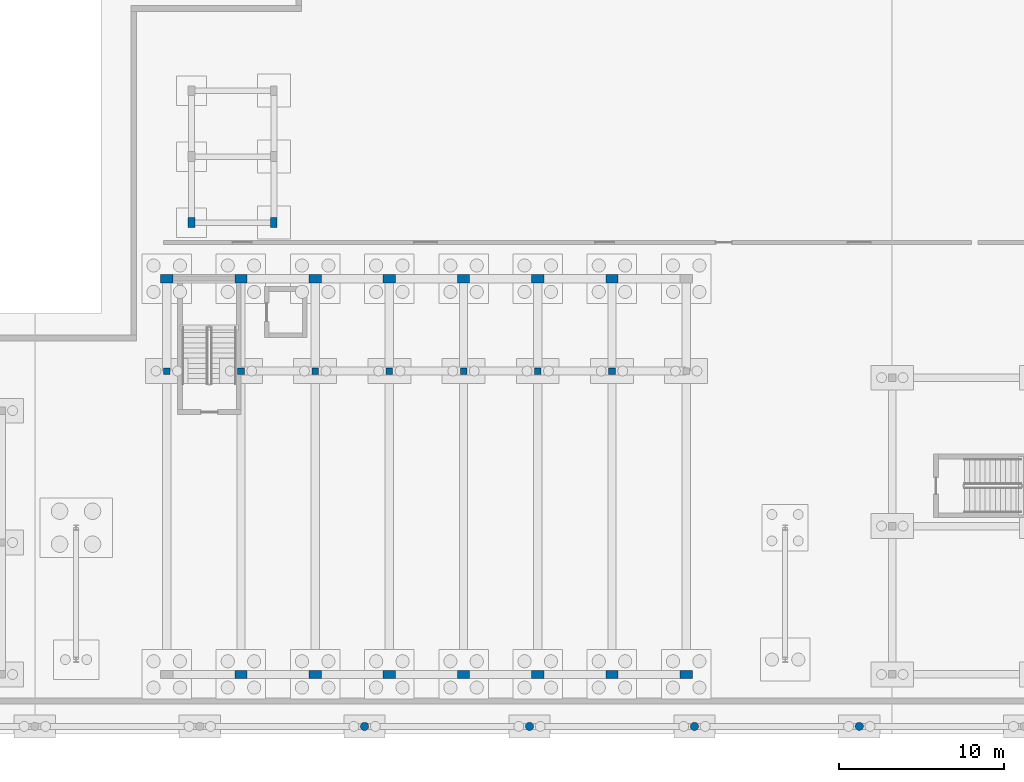
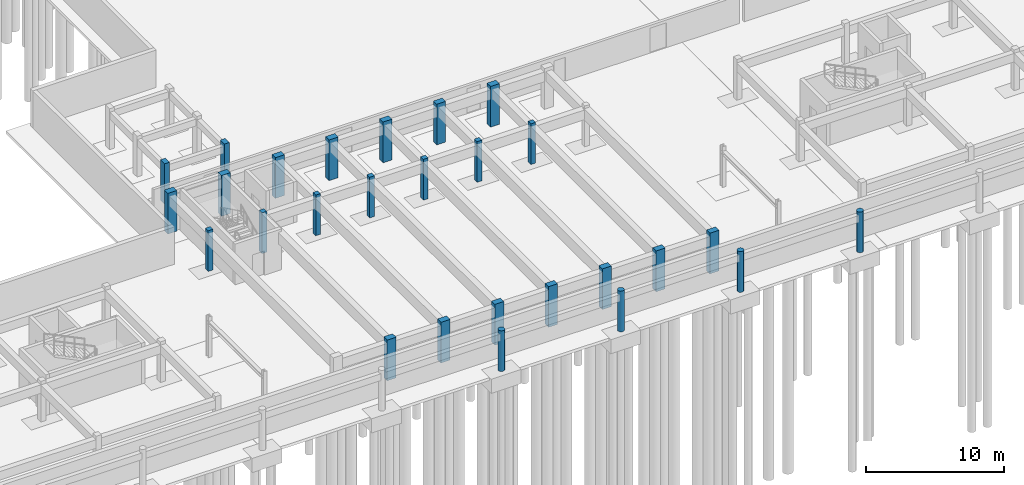
# One storey, part 7 of 32: 27 columns.
"""IFC4 building model written with IfcOpenShell, lengths in metres."""

import ifcopenshell
import ifcopenshell.guid

model = None  # the IFC model being written
_history = None  # IfcOwnerHistory: only IFC2X3 demands one
_inside = {}  # id of a spatial element -> (the spatial element, [elements in it])
_under = {}  # id of a project, library or spatial element -> (it, [spatial elements below it])
_declared = {}  # id of a project -> (the project, [libraries it declares])
_typed = {}  # id of a type object -> (the type object, [elements of that type])
_made_of = {}  # id of a material, layer set ... -> (it, [elements and type objects made of it])


def new_model(schema):
    """Start an empty IFC model of exactly this schema.

    Asked for "IFC4X3", IfcOpenShell would pick the latest addendum, in which some entities
    have other attributes; the version numbers below select the first issue.
    IFC2X3 requires an IfcOwnerHistory on every rooted entity: one is made here for all.
    """
    global model, _history
    if schema == "IFC4X3":
        model = ifcopenshell.file(schema_version=(4, 3, 0, 0))
    else:
        model = ifcopenshell.file(schema=schema)
    _inside.clear()
    _under.clear()
    _declared.clear()
    _typed.clear()
    _made_of.clear()
    _history = None
    if model.schema == "IFC2X3":
        org = make("IfcOrganization", Name="unknown")
        user = make(
            "IfcPersonAndOrganization",
            ThePerson=make("IfcPerson", FamilyName="unknown"),
            TheOrganization=org,
        )
        app = make(
            "IfcApplication",
            ApplicationDeveloper=org,
            Version="unknown",
            ApplicationFullName="unknown",
            ApplicationIdentifier="unknown",
        )
        _history = make(
            "IfcOwnerHistory",
            OwningUser=user,
            OwningApplication=app,
            ChangeAction="ADDED",
            CreationDate=0,
        )
    return model


def make(cls, **values):
    """One entity of the class cls with the attributes given. An attribute that is None is left unset."""
    return model.create_entity(
        cls, **{name: value for name, value in values.items() if value is not None}
    )


def rooted(cls, **values):
    """An entity with a GlobalId (a new one), such as an element, a storey or a relation."""
    return make(cls, GlobalId=ifcopenshell.guid.new(), OwnerHistory=_history, **values)


def si_unit(unit_type, name, prefix=None):
    """IfcSIUnit, for example si_unit("LENGTHUNIT", "METRE", prefix="MILLI")."""
    return make("IfcSIUnit", UnitType=unit_type, Prefix=prefix, Name=name)


def assignment(units):
    """IfcUnitAssignment: the units of a project."""
    return None if units is None else make("IfcUnitAssignment", Units=units)


def point(xyz):
    """IfcCartesianPoint."""
    return None if xyz is None else make("IfcCartesianPoint", Coordinates=xyz)


def direction(xyz):
    """IfcDirection."""
    return None if xyz is None else make("IfcDirection", DirectionRatios=xyz)


def frame(location, z_axis=None, x_axis=None):
    """IfcAxis2Placement3D, a coordinate frame: its origin and axes. An axis left out is left unset."""
    return make(
        "IfcAxis2Placement3D",
        Location=point(location),
        Axis=direction(z_axis),
        RefDirection=direction(x_axis),
    )


def frame_2d(location, x_axis=None):
    """IfcAxis2Placement2D, a coordinate frame in the plane: its origin and x axis."""
    return make(
        "IfcAxis2Placement2D", Location=point(location), RefDirection=direction(x_axis)
    )


def origin():
    """The frame at (0, 0, 0) with its axes left unset."""
    return frame((0.0, 0.0, 0.0))


def origin_2d():
    """The frame at (0, 0) in the plane with its x axis left unset."""
    return frame_2d((0.0, 0.0))


def place(relative_to, where):
    """IfcLocalPlacement: puts the frame where relative to a parent placement (None: the world)."""
    return make(
        "IfcLocalPlacement", PlacementRelTo=relative_to, RelativePlacement=where
    )


def context(
    kind, dimensions, precision=None, world=None, true_north=None, identifier=None
):
    """IfcGeometricRepresentationContext, for example the 3D "Model" context."""
    return make(
        "IfcGeometricRepresentationContext",
        ContextIdentifier=identifier,
        ContextType=kind,
        CoordinateSpaceDimension=dimensions,
        Precision=precision,
        WorldCoordinateSystem=world,
        TrueNorth=true_north,
    )


def subcontext(parent, identifier, kind, view, scale=None):
    """IfcGeometricRepresentationSubContext, for example "Body" below "Model"."""
    return make(
        "IfcGeometricRepresentationSubContext",
        ContextIdentifier=identifier,
        ContextType=kind,
        ParentContext=parent,
        TargetScale=scale,
        TargetView=view,
    )


def project(units=None, contexts=None):
    """IfcProject with its units and contexts."""
    return rooted(
        "IfcProject",
        Name="project",
        RepresentationContexts=contexts,
        UnitsInContext=assignment(units),
    )


def spatial(cls, under=None, at=None, **own):
    """A site, building, storey or space (cls), placed at a placement, below another one or the project."""
    s = rooted(cls, ObjectPlacement=at, **own)
    if under is not None:
        _under.setdefault(under.id(), (under, []))[1].append(s)
    return s


def profile(cls, at=None, kind="AREA", **sizes):
    """A parametric profile (cls). Its sizes go by their IFC names, for example OverallWidth=200.0."""
    return make(cls, ProfileType=kind, Position=at, **sizes)


def rectangle(**sizes):
    """IfcRectangleProfileDef."""
    return profile("IfcRectangleProfileDef", **sizes)


def circle(**sizes):
    """IfcCircleProfileDef."""
    return profile("IfcCircleProfileDef", **sizes)


def extrude(swept, where, along, depth):
    """IfcExtrudedAreaSolid: the profile swept, set in the frame where, extruded along a direction by depth."""
    return make(
        "IfcExtrudedAreaSolid",
        SweptArea=swept,
        Position=where,
        ExtrudedDirection=direction(along),
        Depth=depth,
    )


def shape(context_of_items, identifier, shape_type, items):
    """IfcShapeRepresentation: the items that make up one representation, for example the "Body"."""
    return make(
        "IfcShapeRepresentation",
        ContextOfItems=context_of_items,
        RepresentationIdentifier=identifier,
        RepresentationType=shape_type,
        Items=items,
    )


def material(Name=None, Category=None):
    """IfcMaterial."""
    return make("IfcMaterial", Name=Name, Category=Category)


def material_profile(
    of_material, cross_section, Name=None, Category=None, Priority=None
):
    """IfcMaterialProfile: a cross section and its material."""
    return make(
        "IfcMaterialProfile",
        Name=Name,
        Material=of_material,
        Profile=cross_section,
        Priority=Priority,
        Category=Category,
    )


def profile_set(profiles, Name=None, composite=None):
    """IfcMaterialProfileSet."""
    return make(
        "IfcMaterialProfileSet",
        Name=Name,
        MaterialProfiles=profiles,
        CompositeProfile=composite,
    )


def made_of(thing, what):
    """Note that an element or type object is made of a material, layer set ...; save() writes the relation."""
    if what is not None:
        _made_of.setdefault(what.id(), (what, []))[1].append(thing)
    return thing


def type_object(cls, material=None, **own):
    """A type object (cls), such as IfcWallType, which elements share."""
    return made_of(rooted(cls, **own), material)


def element(
    cls,
    number,
    at=None,
    inside=None,
    cuts=None,
    type_object=None,
    material=None,
    context=None,
    identifier="Body",
    shape_type=None,
    held_by="IfcProductDefinitionShape",
    body=None,
    shapes=None,
    **own,
):
    """One element of the class cls, such as IfcWall. Its Tag is "e" and its number.

    at: its placement. inside: the storey or other place that contains it. cuts: it is an
    opening in that element (IfcRelVoidsElement). A single representation is given by context,
    identifier, shape_type and body (its items); several are given by shapes. held_by: the class
    of the entity that holds the representations. save() writes the other relations.
    """
    e = rooted(cls, Tag="e%d" % number, ObjectPlacement=at, **own)
    if body is not None:
        shapes = [shape(context, identifier, shape_type, body)]
    if shapes is not None:
        e.Representation = make(held_by, Representations=shapes)
    if inside is not None:
        _inside.setdefault(inside.id(), (inside, []))[1].append(e)
    if cuts is not None:
        rooted(
            "IfcRelVoidsElement", RelatingBuildingElement=cuts, RelatedOpeningElement=e
        )
    if type_object is not None:
        _typed.setdefault(type_object.id(), (type_object, []))[1].append(e)
    return made_of(e, material)


def aggregate(whole, parts):
    """IfcRelAggregates: a whole, such as a stair, and the parts it consists of."""
    return rooted("IfcRelAggregates", RelatingObject=whole, RelatedObjects=parts)


def save(model, path):
    """Write the relations noted so far, then the file.

    IfcRelAggregates (storeys below a building ...), IfcRelContainedInSpatialStructure (elements
    in a storey), IfcRelDefinesByType, IfcRelAssociatesMaterial and IfcRelDeclares: one each for
    every whole, place, type object, material and project.
    """
    for whole, parts in _under.values():
        aggregate(whole, parts)
    for where, things in _inside.values():
        rooted(
            "IfcRelContainedInSpatialStructure",
            RelatedElements=things,
            RelatingStructure=where,
        )
    for kind, things in _typed.values():
        rooted("IfcRelDefinesByType", RelatedObjects=things, RelatingType=kind)
    for what, things in _made_of.values():
        rooted("IfcRelAssociatesMaterial", RelatedObjects=things, RelatingMaterial=what)
    for by, libraries in _declared.values():
        rooted("IfcRelDeclares", RelatingContext=by, RelatedDefinitions=libraries)
    model.write(path)


model = new_model("IFC4")

# Units and contexts
model_context = context("Model", 3, precision=1e-05, world=origin(), true_north=direction((0.0, 1.0)))
body_context = subcontext(model_context, "Body", "Model", "MODEL_VIEW")
ifc_project = project(units=[si_unit("LENGTHUNIT", "METRE"), si_unit("AREAUNIT", "SQUARE_METRE"), si_unit("VOLUMEUNIT", "CUBIC_METRE"), si_unit("PLANEANGLEUNIT", "RADIAN"), si_unit("MASSUNIT", "GRAM", prefix="KILO")], contexts=[model_context])

# Site, building, storey
site_placement = place(None, origin())
site = spatial("IfcSite", under=ifc_project, at=site_placement, CompositionType="ELEMENT")
building_placement = place(site_placement, origin())
building = spatial("IfcBuilding", under=site, at=building_placement, Name="Zimvara Arc Housing Community", CompositionType="ELEMENT")
storey_placement = place(building_placement, frame((0.0, 0.0, -3.60009765625)))
storey = spatial("IfcBuildingStorey", under=building, at=storey_placement, Name="B1", CompositionType="ELEMENT", Elevation=-3.60009765625)

# Columns
ifc_material_1 = material(Name="Concrete C40/50", Category="concrete")
ifc_material_profile_1 = material_profile(ifc_material_1, rectangle(XDim=0.39990234375, YDim=0.39990234375, at=origin_2d()), Name="RC 400x400")
ifc_profile_set_1 = profile_set([ifc_material_profile_1], Name="Concrete C40/50")
column_type_1 = type_object("IfcColumnType", Name="COL-RC-400x400", PredefinedType="COLUMN", material=ifc_profile_set_1)
for number, where, z_axis, x_axis, name in (
    (1, (68.0, 22.0, 0.0), (0.0, 0.0, 1.0), (1.0, 0.0, 0.0), "col:hall:B1:gal:x0"),
    (2, (72.5, 22.0, 0.0), (0.0, 0.0, 1.0), (1.0, 0.0, 0.0), "col:hall:B1:gal:x1"),
    (3, (77.0, 22.0, 0.0), (0.0, 0.0, 1.0), (1.0, 0.0, 0.0), "col:hall:B1:gal:x2"),
    (4, (81.5, 22.0, 0.0), (0.0, 0.0, 1.0), (1.0, 0.0, 0.0), "col:hall:B1:gal:x3"),
    (5, (86.0, 22.0, 0.0), (0.0, 0.0, 1.0), (1.0, 0.0, 0.0), "col:hall:B1:gal:x4"),
    (6, (90.5, 22.0, 0.0), (0.0, 0.0, 1.0), (1.0, 0.0, 0.0), "col:hall:B1:gal:x5"),
    (7, (95.0, 22.0, 0.0), (0.0, 0.0, 1.0), (1.0, 0.0, 0.0), "col:hall:B1:gal:x6"),
):
    element("IfcColumn", number, at=place(storey_placement, frame(where, z_axis=z_axis, x_axis=x_axis)), inside=storey, type_object=column_type_1, Name=name, PredefinedType="COLUMN", context=body_context, shape_type="SweptSolid", body=[
        extrude(rectangle(XDim=0.39990234375, YDim=0.39990234375, at=origin_2d()), origin(), (0.0, 0.0, 1.0), 3.60009765625),
    ])
ifc_material_2 = material(Name="Concrete C40/50", Category="concrete")
ifc_material_profile_2 = material_profile(ifc_material_2, rectangle(XDim=0.5, YDim=0.75, at=origin_2d()), Name="RC 500x750")
ifc_profile_set_2 = profile_set([ifc_material_profile_2], Name="Concrete C40/50")
column_type_2 = type_object("IfcColumnType", Name="COL-RC-500x750", PredefinedType="COLUMN", material=ifc_profile_set_2)
for number, where, z_axis, x_axis, name in (
    (8, (68.0, 27.60009765625, 0.0), (0.0, 0.0, 1.0), (0.0, 1.0, 0.0), "col:hall:B1:x0:y1"),
    (9, (72.5, 3.60009765625, 0.0), (0.0, 0.0, 1.0), (0.0, 1.0, 0.0), "col:hall:B1:x1:y0"),
    (10, (72.5, 27.60009765625, 0.0), (0.0, 0.0, 1.0), (0.0, 1.0, 0.0), "col:hall:B1:x1:y1"),
    (11, (77.0, 3.60009765625, 0.0), (0.0, 0.0, 1.0), (0.0, 1.0, 0.0), "col:hall:B1:x2:y0"),
    (12, (77.0, 27.60009765625, 0.0), (0.0, 0.0, 1.0), (0.0, 1.0, 0.0), "col:hall:B1:x2:y1"),
    (13, (81.5, 3.60009765625, 0.0), (0.0, 0.0, 1.0), (0.0, 1.0, 0.0), "col:hall:B1:x3:y0"),
    (14, (81.5, 27.60009765625, 0.0), (0.0, 0.0, 1.0), (0.0, 1.0, 0.0), "col:hall:B1:x3:y1"),
    (15, (86.0, 3.60009765625, 0.0), (0.0, 0.0, 1.0), (0.0, 1.0, 0.0), "col:hall:B1:x4:y0"),
    (16, (86.0, 27.60009765625, 0.0), (0.0, 0.0, 1.0), (0.0, 1.0, 0.0), "col:hall:B1:x4:y1"),
    (17, (90.5, 3.60009765625, 0.0), (0.0, 0.0, 1.0), (0.0, 1.0, 0.0), "col:hall:B1:x5:y0"),
    (18, (90.5, 27.60009765625, 0.0), (0.0, 0.0, 1.0), (0.0, 1.0, 0.0), "col:hall:B1:x5:y1"),
    (19, (95.0, 3.60009765625, 0.0), (0.0, 0.0, 1.0), (0.0, 1.0, 0.0), "col:hall:B1:x6:y0"),
    (20, (95.0, 27.60009765625, 0.0), (0.0, 0.0, 1.0), (0.0, 1.0, 0.0), "col:hall:B1:x6:y1"),
    (21, (99.5, 3.60009765625, 0.0), (0.0, 0.0, 1.0), (0.0, 1.0, 0.0), "col:hall:B1:x7:y0"),
):
    element("IfcColumn", number, at=place(storey_placement, frame(where, z_axis=z_axis, x_axis=x_axis)), inside=storey, type_object=column_type_2, Name=name, PredefinedType="COLUMN", context=body_context, shape_type="SweptSolid", body=[
        extrude(rectangle(XDim=0.5, YDim=0.75, at=origin_2d()), origin(), (0.0, 0.0, 1.0), 3.60009765625),
    ])
ifc_material_3 = material(Name="Concrete C40/50", Category="concrete")
ifc_material_profile_3 = material_profile(ifc_material_3, circle(Radius=0.25, at=origin_2d()), Name="RC D500")
ifc_profile_set_3 = profile_set([ifc_material_profile_3], Name="Concrete C40/50")
column_type_3 = type_object("IfcColumnType", Name="COL-RC-D500", PredefinedType="COLUMN", material=ifc_profile_set_3)
for number, where, z_axis, x_axis, name in (
    (22, (80.0, 0.449951171875, 0.0), (0.0, 0.0, 1.0), (1.0, 0.0, 0.0), "col:colonnade:B1:8"),
    (23, (90.0, 0.449951171875, 0.0), (0.0, 0.0, 1.0), (1.0, 0.0, 0.0), "col:colonnade:B1:9"),
    (24, (100.0, 0.449951171875, 0.0), (0.0, 0.0, 1.0), (1.0, 0.0, 0.0), "col:colonnade:B1:10"),
    (25, (110.0, 0.449951171875, 0.0), (0.0, 0.0, 1.0), (1.0, 0.0, 0.0), "col:colonnade:B1:11"),
):
    element("IfcColumn", number, at=place(storey_placement, frame(where, z_axis=z_axis, x_axis=x_axis)), inside=storey, type_object=column_type_3, Name=name, PredefinedType="COLUMN", context=body_context, shape_type="SweptSolid", body=[
        extrude(circle(Radius=0.25, at=origin_2d()), origin(), (0.0, 0.0, 1.0), 3.60009765625),
    ])
ifc_material_4 = material(Name="Concrete C40/50", Category="concrete")
ifc_material_profile_4 = material_profile(ifc_material_4, rectangle(XDim=0.39990234375, YDim=0.60009765625, at=origin_2d()), Name="RC 400x600")
ifc_profile_set_4 = profile_set([ifc_material_profile_4], Name="Concrete C40/50")
column_type_4 = type_object("IfcColumnType", Name="COL-RC-PIL-400x550", PredefinedType="PILASTER", material=ifc_profile_set_4)
for number, where, z_axis, x_axis, name in (
    (26, (69.5, 31.0, 0.0), (0.0, 0.0, 1.0), (1.0, 0.0, 0.0), "col:pil:B1:1"),
    (27, (74.5, 31.0, 0.0), (0.0, 0.0, 1.0), (1.0, 0.0, 0.0), "col:pil:B1:2"),
):
    element("IfcColumn", number, at=place(storey_placement, frame(where, z_axis=z_axis, x_axis=x_axis)), inside=storey, type_object=column_type_4, Name=name, PredefinedType="PILASTER", context=body_context, shape_type="SweptSolid", body=[
        extrude(rectangle(XDim=0.39990234375, YDim=0.60009765625, at=origin_2d()), origin(), (0.0, 0.0, 1.0), 3.60009765625),
    ])

save(model, "model.ifc")
